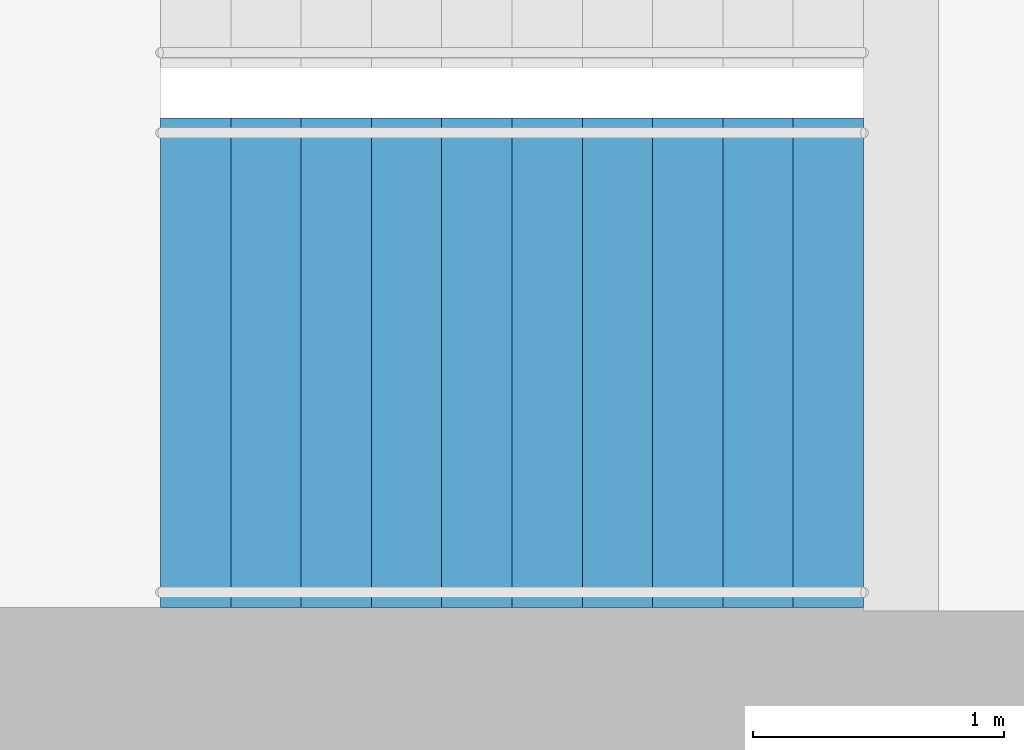
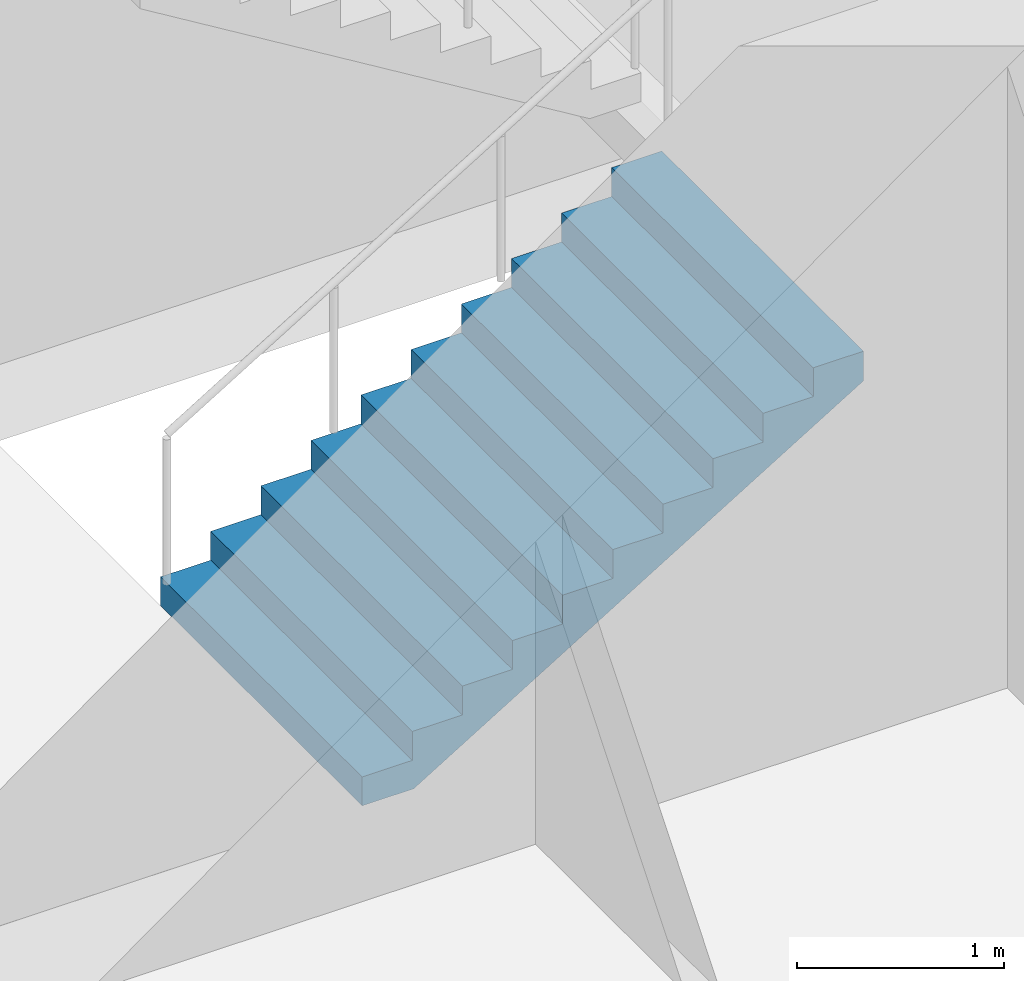
# One storey, part 22 of 28: 1 stair flight, 1 element without a shape of its own.
"""IFC4 building model written with IfcOpenShell, lengths in metres."""

from ifc_helpers import new_model, si_unit, direction, frame, origin, place, context, subcontext, project, spatial, triangles, material, type_object, element, aggregate, save


model = new_model("IFC4")

# Units and contexts
model_context = context("Model", 3, precision=1e-05, world=origin(), true_north=direction((0.0, 1.0)))
body_context = subcontext(model_context, "Body", "Model", "MODEL_VIEW")
ifc_project = project(units=[si_unit("LENGTHUNIT", "METRE"), si_unit("AREAUNIT", "SQUARE_METRE"), si_unit("VOLUMEUNIT", "CUBIC_METRE"), si_unit("PLANEANGLEUNIT", "RADIAN"), si_unit("MASSUNIT", "GRAM", prefix="KILO")], contexts=[model_context])

# Site, building, storey
site_placement = place(None, origin())
site = spatial("IfcSite", under=ifc_project, at=site_placement, CompositionType="ELEMENT")
building_placement = place(site_placement, origin())
building = spatial("IfcBuilding", under=site, at=building_placement, Name="Orbita Commons", CompositionType="ELEMENT")
storey_placement = place(building_placement, frame((0.0, 0.0, 216.550048828125)))
storey = spatial("IfcBuildingStorey", under=building, at=storey_placement, Name="L53", CompositionType="ELEMENT", Elevation=216.550048828125)

# Stair, stair flight
ifc_material_1 = material(Name="Precast concrete C40/50", Category="concrete")
stair_type = type_object("IfcStairType", Name="Exit stair S1 2 flights 11 risers 170", PredefinedType="HALF_TURN_STAIR", material=ifc_material_1)
stair_placement = place(storey_placement, origin())
stair = element("IfcStair", 1, at=stair_placement, inside=storey, type_object=stair_type, Name="Exit stair S1 L53", PredefinedType="HALF_TURN_STAIR")
ifc_material_2 = material(Name="Precast concrete C40/50", Category="concrete")
stair_flight_type = type_object("IfcStairFlightType", Name="Stair flight 11 risers 170 x 280", PredefinedType="STRAIGHT", material=ifc_material_2)
stair_flight_placement = place(storey_placement, frame((20.449951171875, 27.125, 0.0), z_axis=(0.0, 0.0, 1.0), x_axis=(1.0, 0.0, 0.0)))
stair_flight = element("IfcStairFlight", 2, at=stair_flight_placement, type_object=stair_flight_type, Name="S1 flight 1", NumberOfRisers=11, NumberOfTreads=10, PredefinedType="STRAIGHT", RiserHeight=0.170454545, TreadLength=0.28, context=body_context, shape_type="Tessellation", body=[
    triangles([(0.0, 0.974976, 0.0), (0.0, 0.974976, 0.021307), (0.0, 0.81248, 0.021307), (0.0, 0.81248, 0.0), (0.0, 0.649984, 0.021307), (0.0, 0.649984, 0.0), (0.0, 0.487488, 0.021307), (0.0, 0.487488, 0.0), (0.0, 0.324992, 0.021307), (0.0, 0.324992, 0.0), (0.0, 0.162496, 0.021307), (0.0, 0.162496, 0.0), (0.0, 0.0, 0.021307), (0.0, 0.0, 0.0), (0.0, -0.162496, 0.021307), (0.0, -0.162496, 0.0), (0.0, -0.324992, 0.021307), (0.0, -0.324992, 0.0), (0.0, -0.487488, 0.021307), (0.0, -0.487488, 0.0), (0.0, -0.649984, 0.021307), (0.0, -0.649984, 0.0), (0.0, -0.81248, 0.021307), (0.0, -0.81248, 0.0), (0.0, -0.974976, 0.021307), (0.0, -0.974976, 0.0), (0.0, 0.974976, 0.042614), (0.0, 0.81248, 0.042614), (0.0, 0.649984, 0.042614), (0.0, 0.487488, 0.042614), (0.0, 0.324992, 0.042614), (0.0, 0.162496, 0.042614), (0.0, 0.0, 0.042614), (0.0, -0.162496, 0.042614), (0.0, -0.324992, 0.042614), (0.0, -0.487488, 0.042614), (0.0, -0.649984, 0.042614), (0.0, -0.81248, 0.042614), (0.0, -0.974976, 0.042614), (0.0, 0.974976, 0.06392), (0.0, 0.81248, 0.06392), (0.0, 0.649984, 0.06392), (0.0, 0.487488, 0.06392), (0.0, 0.324992, 0.06392), (0.0, 0.162496, 0.06392), (0.0, 0.0, 0.06392), (0.0, -0.162496, 0.06392), (0.0, -0.324992, 0.06392), (0.0, -0.487488, 0.06392), (0.0, -0.649984, 0.06392), (0.0, -0.81248, 0.06392), (0.0, -0.974976, 0.06392), (0.0, 0.974976, 0.085227), (0.0, 0.81248, 0.085227), (0.0, 0.649984, 0.085227), (0.0, 0.487488, 0.085227), (0.0, 0.324992, 0.085227), (0.0, 0.162496, 0.085227), (0.0, 0.0, 0.085227), (0.0, -0.162496, 0.085227), (0.0, -0.324992, 0.085227), (0.0, -0.487488, 0.085227), (0.0, -0.649984, 0.085227), (0.0, -0.81248, 0.085227), (0.0, -0.974976, 0.085227), (0.0, 0.974976, 0.106534), (0.0, 0.81248, 0.106534), (0.0, 0.649984, 0.106534), (0.0, 0.487488, 0.106534), (0.0, 0.324992, 0.106534), (0.0, 0.162496, 0.106534), (0.0, 0.0, 0.106534), (0.0, -0.162496, 0.106534), (0.0, -0.324992, 0.106534), (0.0, -0.487488, 0.106534), (0.0, -0.649984, 0.106534), (0.0, -0.81248, 0.106534), (0.0, -0.974976, 0.106534), (0.0, 0.974976, 0.127841), (0.0, 0.81248, 0.127841), (0.0, 0.649984, 0.127841), (0.0, 0.487488, 0.127841), (0.0, 0.324992, 0.127841), (0.0, 0.162496, 0.127841), (0.0, 0.0, 0.127841), (0.0, -0.162496, 0.127841), (0.0, -0.324992, 0.127841), (0.0, -0.487488, 0.127841), (0.0, -0.649984, 0.127841), (0.0, -0.81248, 0.127841), (0.0, -0.974976, 0.127841), (0.0, 0.974976, 0.149148), (0.0, 0.81248, 0.149148), (0.0, 0.649984, 0.149148), (0.0, 0.487488, 0.149148), (0.0, 0.324992, 0.149148), (0.0, 0.162496, 0.149148), (0.0, 0.0, 0.149148), (0.0, -0.162496, 0.149148), (0.0, -0.324992, 0.149148), (0.0, -0.487488, 0.149148), (0.0, -0.649984, 0.149148), (0.0, -0.81248, 0.149148), (0.0, -0.974976, 0.149148), (0.0, 0.974976, 0.170455), (0.0, 0.81248, 0.170455), (0.0, 0.649984, 0.170455), (0.0, 0.487488, 0.170455), (0.0, 0.324992, 0.170455), (0.0, 0.162496, 0.170455), (0.0, 0.0, 0.170455), (0.0, -0.162496, 0.170455), (0.0, -0.324992, 0.170455), (0.0, -0.487488, 0.170455), (0.0, -0.649984, 0.170455), (0.0, -0.81248, 0.170455), (0.0, -0.974976, 0.170455), (0.28, 0.974976, 0.170455), (0.28, 0.81248, 0.170455), (0.28, 0.649984, 0.170455), (0.28, 0.487488, 0.170455), (0.28, 0.324992, 0.170455), (0.28, 0.162496, 0.170455), (0.28, 0.0, 0.170455), (0.28, -0.162496, 0.170455), (0.28, -0.324992, 0.170455), (0.28, -0.487488, 0.170455), (0.28, -0.649984, 0.170455), (0.28, -0.81248, 0.170455), (0.28, -0.974976, 0.170455), (0.28, 0.974976, 0.340909), (0.28, 0.81248, 0.340909), (0.28, 0.649984, 0.340909), (0.28, 0.487488, 0.340909), (0.28, 0.324992, 0.340909), (0.28, 0.162496, 0.340909), (0.28, 0.0, 0.340909), (0.28, -0.162496, 0.340909), (0.28, -0.324992, 0.340909), (0.28, -0.487488, 0.340909), (0.28, -0.649984, 0.340909), (0.28, -0.81248, 0.340909), (0.28, -0.974976, 0.340909), (0.56, 0.974976, 0.340909), (0.56, 0.81248, 0.340909), (0.56, 0.649984, 0.340909), (0.56, 0.487488, 0.340909), (0.56, 0.324992, 0.340909), (0.56, 0.162496, 0.340909), (0.56, 0.0, 0.340909), (0.56, -0.162496, 0.340909), (0.56, -0.324992, 0.340909), (0.56, -0.487488, 0.340909), (0.56, -0.649984, 0.340909), (0.56, -0.81248, 0.340909), (0.56, -0.974976, 0.340909), (0.56, 0.974976, 0.511364), (0.56, 0.81248, 0.511364), (0.56, 0.649984, 0.511364), (0.56, 0.487488, 0.511364), (0.56, 0.324992, 0.511364), (0.56, 0.162496, 0.511364), (0.56, 0.0, 0.511364), (0.56, -0.162496, 0.511364), (0.56, -0.324992, 0.511364), (0.56, -0.487488, 0.511364), (0.56, -0.649984, 0.511364), (0.56, -0.81248, 0.511364), (0.56, -0.974976, 0.511364), (0.84, 0.974976, 0.511364), (0.84, 0.81248, 0.511364), (0.84, 0.649984, 0.511364), (0.84, 0.487488, 0.511364), (0.84, 0.324992, 0.511364), (0.84, 0.162496, 0.511364), (0.84, 0.0, 0.511364), (0.84, -0.162496, 0.511364), (0.84, -0.324992, 0.511364), (0.84, -0.487488, 0.511364), (0.84, -0.649984, 0.511364), (0.84, -0.81248, 0.511364), (0.84, -0.974976, 0.511364), (0.84, 0.974976, 0.681818), (0.84, 0.81248, 0.681818), (0.84, 0.649984, 0.681818), (0.84, 0.487488, 0.681818), (0.84, 0.324992, 0.681818), (0.84, 0.162496, 0.681818), (0.84, 0.0, 0.681818), (0.84, -0.162496, 0.681818), (0.84, -0.324992, 0.681818), (0.84, -0.487488, 0.681818), (0.84, -0.649984, 0.681818), (0.84, -0.81248, 0.681818), (0.84, -0.974976, 0.681818), (1.12, 0.974976, 0.681818), (1.12, 0.81248, 0.681818), (1.12, 0.649984, 0.681818), (1.12, 0.487488, 0.681818), (1.12, 0.324992, 0.681818), (1.12, 0.162496, 0.681818), (1.12, 0.0, 0.681818), (1.12, -0.162496, 0.681818), (1.12, -0.324992, 0.681818), (1.12, -0.487488, 0.681818), (1.12, -0.649984, 0.681818), (1.12, -0.81248, 0.681818), (1.12, -0.974976, 0.681818), (1.12, 0.974976, 0.852273), (1.12, 0.81248, 0.852273), (1.12, 0.649984, 0.852273), (1.12, 0.487488, 0.852273), (1.12, 0.324992, 0.852273), (1.12, 0.162496, 0.852273), (1.12, 0.0, 0.852273), (1.12, -0.162496, 0.852273), (1.12, -0.324992, 0.852273), (1.12, -0.487488, 0.852273), (1.12, -0.649984, 0.852273), (1.12, -0.81248, 0.852273), (1.12, -0.974976, 0.852273), (1.4, 0.974976, 0.852273), (1.4, 0.81248, 0.852273), (1.4, 0.649984, 0.852273), (1.4, 0.487488, 0.852273), (1.4, 0.324992, 0.852273), (1.4, 0.162496, 0.852273), (1.4, 0.0, 0.852273), (1.4, -0.162496, 0.852273), (1.4, -0.324992, 0.852273), (1.4, -0.487488, 0.852273), (1.4, -0.649984, 0.852273), (1.4, -0.81248, 0.852273), (1.4, -0.974976, 0.852273), (1.4, 0.974976, 1.022727), (1.4, 0.81248, 1.022727), (1.4, 0.649984, 1.022727), (1.4, 0.487488, 1.022727), (1.4, 0.324992, 1.022727), (1.4, 0.162496, 1.022727), (1.4, 0.0, 1.022727), (1.4, -0.162496, 1.022727), (1.4, -0.324992, 1.022727), (1.4, -0.487488, 1.022727), (1.4, -0.649984, 1.022727), (1.4, -0.81248, 1.022727), (1.4, -0.974976, 1.022727), (1.68, 0.974976, 1.022727), (1.68, 0.81248, 1.022727), (1.68, 0.649984, 1.022727), (1.68, 0.487488, 1.022727), (1.68, 0.324992, 1.022727), (1.68, 0.162496, 1.022727), (1.68, 0.0, 1.022727), (1.68, -0.162496, 1.022727), (1.68, -0.324992, 1.022727), (1.68, -0.487488, 1.022727), (1.68, -0.649984, 1.022727), (1.68, -0.81248, 1.022727), (1.68, -0.974976, 1.022727), (1.68, 0.974976, 1.193182), (1.68, 0.81248, 1.193182), (1.68, 0.649984, 1.193182), (1.68, 0.487488, 1.193182), (1.68, 0.324992, 1.193182), (1.68, 0.162496, 1.193182), (1.68, 0.0, 1.193182), (1.68, -0.162496, 1.193182), (1.68, -0.324992, 1.193182), (1.68, -0.487488, 1.193182), (1.68, -0.649984, 1.193182), (1.68, -0.81248, 1.193182), (1.68, -0.974976, 1.193182), (1.96, 0.974976, 1.193182), (1.96, 0.81248, 1.193182), (1.96, 0.649984, 1.193182), (1.96, 0.487488, 1.193182), (1.96, 0.324992, 1.193182), (1.96, 0.162496, 1.193182), (1.96, 0.0, 1.193182), (1.96, -0.162496, 1.193182), (1.96, -0.324992, 1.193182), (1.96, -0.487488, 1.193182), (1.96, -0.649984, 1.193182), (1.96, -0.81248, 1.193182), (1.96, -0.974976, 1.193182), (1.96, 0.974976, 1.363636), (1.96, 0.81248, 1.363636), (1.96, 0.649984, 1.363636), (1.96, 0.487488, 1.363636), (1.96, 0.324992, 1.363636), (1.96, 0.162496, 1.363636), (1.96, 0.0, 1.363636), (1.96, -0.162496, 1.363636), (1.96, -0.324992, 1.363636), (1.96, -0.487488, 1.363636), (1.96, -0.649984, 1.363636), (1.96, -0.81248, 1.363636), (1.96, -0.974976, 1.363636), (2.24, 0.974976, 1.363636), (2.24, 0.81248, 1.363636), (2.24, 0.649984, 1.363636), (2.24, 0.487488, 1.363636), (2.24, 0.324992, 1.363636), (2.24, 0.162496, 1.363636), (2.24, 0.0, 1.363636), (2.24, -0.162496, 1.363636), (2.24, -0.324992, 1.363636), (2.24, -0.487488, 1.363636), (2.24, -0.649984, 1.363636), (2.24, -0.81248, 1.363636), (2.24, -0.974976, 1.363636), (2.24, 0.974976, 1.534091), (2.24, 0.81248, 1.534091), (2.24, 0.649984, 1.534091), (2.24, 0.487488, 1.534091), (2.24, 0.324992, 1.534091), (2.24, 0.162496, 1.534091), (2.24, 0.0, 1.534091), (2.24, -0.162496, 1.534091), (2.24, -0.324992, 1.534091), (2.24, -0.487488, 1.534091), (2.24, -0.649984, 1.534091), (2.24, -0.81248, 1.534091), (2.24, -0.974976, 1.534091), (2.52, 0.974976, 1.534091), (2.52, 0.81248, 1.534091), (2.52, 0.649984, 1.534091), (2.52, 0.487488, 1.534091), (2.52, 0.324992, 1.534091), (2.52, 0.162496, 1.534091), (2.52, 0.0, 1.534091), (2.52, -0.162496, 1.534091), (2.52, -0.324992, 1.534091), (2.52, -0.487488, 1.534091), (2.52, -0.649984, 1.534091), (2.52, -0.81248, 1.534091), (2.52, -0.974976, 1.534091), (2.52, 0.974976, 1.704545), (2.52, 0.81248, 1.704545), (2.52, 0.649984, 1.704545), (2.52, 0.487488, 1.704545), (2.52, 0.324992, 1.704545), (2.52, 0.162496, 1.704545), (2.52, 0.0, 1.704545), (2.52, -0.162496, 1.704545), (2.52, -0.324992, 1.704545), (2.52, -0.487488, 1.704545), (2.52, -0.649984, 1.704545), (2.52, -0.81248, 1.704545), (2.52, -0.974976, 1.704545), (2.8, 0.974976, 1.704545), (2.8, 0.81248, 1.704545), (2.8, 0.649984, 1.704545), (2.8, 0.487488, 1.704545), (2.8, 0.324992, 1.704545), (2.8, 0.162496, 1.704545), (2.8, 0.0, 1.704545), (2.8, -0.162496, 1.704545), (2.8, -0.324992, 1.704545), (2.8, -0.487488, 1.704545), (2.8, -0.649984, 1.704545), (2.8, -0.81248, 1.704545), (2.8, -0.974976, 1.704545), (2.8, 0.974976, 1.682609), (2.8, 0.81248, 1.682609), (2.8, 0.649984, 1.682609), (2.8, 0.487488, 1.682609), (2.8, 0.324992, 1.682609), (2.8, 0.162496, 1.682609), (2.8, 0.0, 1.682609), (2.8, -0.162496, 1.682609), (2.8, -0.324992, 1.682609), (2.8, -0.487488, 1.682609), (2.8, -0.649984, 1.682609), (2.8, -0.81248, 1.682609), (2.8, -0.974976, 1.682609), (2.8, 0.974976, 1.660672), (2.8, 0.81248, 1.660672), (2.8, 0.649984, 1.660672), (2.8, 0.487488, 1.660672), (2.8, 0.324992, 1.660672), (2.8, 0.162496, 1.660672), (2.8, 0.0, 1.660672), (2.8, -0.162496, 1.660672), (2.8, -0.324992, 1.660672), (2.8, -0.487488, 1.660672), (2.8, -0.649984, 1.660672), (2.8, -0.81248, 1.660672), (2.8, -0.974976, 1.660672), (2.8, 0.974976, 1.638735), (2.8, 0.81248, 1.638735), (2.8, 0.649984, 1.638735), (2.8, 0.487488, 1.638735), (2.8, 0.324992, 1.638735), (2.8, 0.162496, 1.638735), (2.8, 0.0, 1.638735), (2.8, -0.162496, 1.638735), (2.8, -0.324992, 1.638735), (2.8, -0.487488, 1.638735), (2.8, -0.649984, 1.638735), (2.8, -0.81248, 1.638735), (2.8, -0.974976, 1.638735), (2.8, 0.974976, 1.616798), (2.8, 0.81248, 1.616798), (2.8, 0.649984, 1.616798), (2.8, 0.487488, 1.616798), (2.8, 0.324992, 1.616798), (2.8, 0.162496, 1.616798), (2.8, 0.0, 1.616798), (2.8, -0.162496, 1.616798), (2.8, -0.324992, 1.616798), (2.8, -0.487488, 1.616798), (2.8, -0.649984, 1.616798), (2.8, -0.81248, 1.616798), (2.8, -0.974976, 1.616798), (2.8, 0.974976, 1.594861), (2.8, 0.81248, 1.594861), (2.8, 0.649984, 1.594861), (2.8, 0.487488, 1.594861), (2.8, 0.324992, 1.594861), (2.8, 0.162496, 1.594861), (2.8, 0.0, 1.594861), (2.8, -0.162496, 1.594861), (2.8, -0.324992, 1.594861), (2.8, -0.487488, 1.594861), (2.8, -0.649984, 1.594861), (2.8, -0.81248, 1.594861), (2.8, -0.974976, 1.594861), (2.8, 0.974976, 1.572925), (2.8, 0.81248, 1.572925), (2.8, 0.649984, 1.572925), (2.8, 0.487488, 1.572925), (2.8, 0.324992, 1.572925), (2.8, 0.162496, 1.572925), (2.8, 0.0, 1.572925), (2.8, -0.162496, 1.572925), (2.8, -0.324992, 1.572925), (2.8, -0.487488, 1.572925), (2.8, -0.649984, 1.572925), (2.8, -0.81248, 1.572925), (2.8, -0.974976, 1.572925), (2.8, 0.974976, 1.550988), (2.8, 0.81248, 1.550988), (2.8, 0.649984, 1.550988), (2.8, 0.487488, 1.550988), (2.8, 0.324992, 1.550988), (2.8, 0.162496, 1.550988), (2.8, 0.0, 1.550988), (2.8, -0.162496, 1.550988), (2.8, -0.324992, 1.550988), (2.8, -0.487488, 1.550988), (2.8, -0.649984, 1.550988), (2.8, -0.81248, 1.550988), (2.8, -0.974976, 1.550988), (2.8, 0.974976, 1.529051), (2.8, 0.81248, 1.529051), (2.8, 0.649984, 1.529051), (2.8, 0.487488, 1.529051), (2.8, 0.324992, 1.529051), (2.8, 0.162496, 1.529051), (2.8, 0.0, 1.529051), (2.8, -0.162496, 1.529051), (2.8, -0.324992, 1.529051), (2.8, -0.487488, 1.529051), (2.8, -0.649984, 1.529051), (2.8, -0.81248, 1.529051), (2.8, -0.974976, 1.529051), (0.288279, 0.974976, 0.0), (0.288279, 0.81248, 0.0), (0.288279, 0.649984, 0.0), (0.288279, 0.487488, 0.0), (0.288279, 0.324992, 0.0), (0.288279, 0.162496, 0.0), (0.288279, 0.0, 0.0), (0.288279, -0.162496, 0.0), (0.288279, -0.324992, 0.0), (0.288279, -0.487488, 0.0), (0.288279, -0.649984, 0.0), (0.288279, -0.81248, 0.0), (0.288279, -0.974976, 0.0)], [[3, 2, 1], [4, 3, 1], [5, 3, 4], [6, 5, 4], [7, 5, 6], [8, 7, 6], [9, 7, 8], [10, 9, 8], [11, 9, 10], [12, 11, 10], [13, 11, 12], [14, 13, 12], [15, 13, 14], [16, 15, 14], [17, 15, 16], [18, 17, 16], [19, 17, 18], [20, 19, 18], [21, 19, 20], [22, 21, 20], [23, 21, 22], [24, 23, 22], [25, 23, 24], [26, 25, 24], [28, 27, 2], [3, 28, 2], [29, 28, 3], [5, 29, 3], [30, 29, 5], [7, 30, 5], [31, 30, 7], [9, 31, 7], [32, 31, 9], [11, 32, 9], [33, 32, 11], [13, 33, 11], [34, 33, 13], [15, 34, 13], [35, 34, 15], [17, 35, 15], [36, 35, 17], [19, 36, 17], [37, 36, 19], [21, 37, 19], [38, 37, 21], [23, 38, 21], [39, 38, 23], [25, 39, 23], [41, 40, 27], [28, 41, 27], [42, 41, 28], [29, 42, 28], [43, 42, 29], [30, 43, 29], [44, 43, 30], [31, 44, 30], [45, 44, 31], [32, 45, 31], [46, 45, 32], [33, 46, 32], [47, 46, 33], [34, 47, 33], [48, 47, 34], [35, 48, 34], [49, 48, 35], [36, 49, 35], [50, 49, 36], [37, 50, 36], [51, 50, 37], [38, 51, 37], [52, 51, 38], [39, 52, 38], [54, 53, 40], [41, 54, 40], [55, 54, 41], [42, 55, 41], [56, 55, 42], [43, 56, 42], [57, 56, 43], [44, 57, 43], [58, 57, 44], [45, 58, 44], [59, 58, 45], [46, 59, 45], [60, 59, 46], [47, 60, 46], [61, 60, 47], [48, 61, 47], [62, 61, 48], [49, 62, 48], [63, 62, 49], [50, 63, 49], [64, 63, 50], [51, 64, 50], [65, 64, 51], [52, 65, 51], [67, 66, 53], [54, 67, 53], [68, 67, 54], [55, 68, 54], [69, 68, 55], [56, 69, 55], [70, 69, 56], [57, 70, 56], [71, 70, 57], [58, 71, 57], [72, 71, 58], [59, 72, 58], [73, 72, 59], [60, 73, 59], [74, 73, 60], [61, 74, 60], [75, 74, 61], [62, 75, 61], [76, 75, 62], [63, 76, 62], [77, 76, 63], [64, 77, 63], [78, 77, 64], [65, 78, 64], [80, 79, 66], [67, 80, 66], [81, 80, 67], [68, 81, 67], [82, 81, 68], [69, 82, 68], [83, 82, 69], [70, 83, 69], [84, 83, 70], [71, 84, 70], [85, 84, 71], [72, 85, 71], [86, 85, 72], [73, 86, 72], [87, 86, 73], [74, 87, 73], [88, 87, 74], [75, 88, 74], [89, 88, 75], [76, 89, 75], [90, 89, 76], [77, 90, 76], [91, 90, 77], [78, 91, 77], [93, 92, 79], [80, 93, 79], [94, 93, 80], [81, 94, 80], [95, 94, 81], [82, 95, 81], [96, 95, 82], [83, 96, 82], [97, 96, 83], [84, 97, 83], [98, 97, 84], [85, 98, 84], [99, 98, 85], [86, 99, 85], [100, 99, 86], [87, 100, 86], [101, 100, 87], [88, 101, 87], [102, 101, 88], [89, 102, 88], [103, 102, 89], [90, 103, 89], [104, 103, 90], [91, 104, 90], [106, 105, 92], [93, 106, 92], [107, 106, 93], [94, 107, 93], [108, 107, 94], [95, 108, 94], [109, 108, 95], [96, 109, 95], [110, 109, 96], [97, 110, 96], [111, 110, 97], [98, 111, 97], [112, 111, 98], [99, 112, 98], [113, 112, 99], [100, 113, 99], [114, 113, 100], [101, 114, 100], [115, 114, 101], [102, 115, 101], [116, 115, 102], [103, 116, 102], [117, 116, 103], [104, 117, 103], [119, 118, 105], [106, 119, 105], [120, 119, 106], [107, 120, 106], [121, 120, 107], [108, 121, 107], [122, 121, 108], [109, 122, 108], [123, 122, 109], [110, 123, 109], [124, 123, 110], [111, 124, 110], [125, 124, 111], [112, 125, 111], [126, 125, 112], [113, 126, 112], [127, 126, 113], [114, 127, 113], [128, 127, 114], [115, 128, 114], [129, 128, 115], [116, 129, 115], [130, 129, 116], [117, 130, 116], [132, 131, 118], [119, 132, 118], [133, 132, 119], [120, 133, 119], [134, 133, 120], [121, 134, 120], [135, 134, 121], [122, 135, 121], [136, 135, 122], [123, 136, 122], [137, 136, 123], [124, 137, 123], [138, 137, 124], [125, 138, 124], [139, 138, 125], [126, 139, 125], [140, 139, 126], [127, 140, 126], [141, 140, 127], [128, 141, 127], [142, 141, 128], [129, 142, 128], [143, 142, 129], [130, 143, 129], [145, 144, 131], [132, 145, 131], [146, 145, 132], [133, 146, 132], [147, 146, 133], [134, 147, 133], [148, 147, 134], [135, 148, 134], [149, 148, 135], [136, 149, 135], [150, 149, 136], [137, 150, 136], [151, 150, 137], [138, 151, 137], [152, 151, 138], [139, 152, 138], [153, 152, 139], [140, 153, 139], [154, 153, 140], [141, 154, 140], [155, 154, 141], [142, 155, 141], [156, 155, 142], [143, 156, 142], [158, 157, 144], [145, 158, 144], [159, 158, 145], [146, 159, 145], [160, 159, 146], [147, 160, 146], [161, 160, 147], [148, 161, 147], [162, 161, 148], [149, 162, 148], [163, 162, 149], [150, 163, 149], [164, 163, 150], [151, 164, 150], [165, 164, 151], [152, 165, 151], [166, 165, 152], [153, 166, 152], [167, 166, 153], [154, 167, 153], [168, 167, 154], [155, 168, 154], [169, 168, 155], [156, 169, 155], [171, 170, 157], [158, 171, 157], [172, 171, 158], [159, 172, 158], [173, 172, 159], [160, 173, 159], [174, 173, 160], [161, 174, 160], [175, 174, 161], [162, 175, 161], [176, 175, 162], [163, 176, 162], [177, 176, 163], [164, 177, 163], [178, 177, 164], [165, 178, 164], [179, 178, 165], [166, 179, 165], [180, 179, 166], [167, 180, 166], [181, 180, 167], [168, 181, 167], [182, 181, 168], [169, 182, 168], [184, 183, 170], [171, 184, 170], [185, 184, 171], [172, 185, 171], [186, 185, 172], [173, 186, 172], [187, 186, 173], [174, 187, 173], [188, 187, 174], [175, 188, 174], [189, 188, 175], [176, 189, 175], [190, 189, 176], [177, 190, 176], [191, 190, 177], [178, 191, 177], [192, 191, 178], [179, 192, 178], [193, 192, 179], [180, 193, 179], [194, 193, 180], [181, 194, 180], [195, 194, 181], [182, 195, 181], [197, 196, 183], [184, 197, 183], [198, 197, 184], [185, 198, 184], [199, 198, 185], [186, 199, 185], [200, 199, 186], [187, 200, 186], [201, 200, 187], [188, 201, 187], [202, 201, 188], [189, 202, 188], [203, 202, 189], [190, 203, 189], [204, 203, 190], [191, 204, 190], [205, 204, 191], [192, 205, 191], [206, 205, 192], [193, 206, 192], [207, 206, 193], [194, 207, 193], [208, 207, 194], [195, 208, 194], [210, 209, 196], [197, 210, 196], [211, 210, 197], [198, 211, 197], [212, 211, 198], [199, 212, 198], [213, 212, 199], [200, 213, 199], [214, 213, 200], [201, 214, 200], [215, 214, 201], [202, 215, 201], [216, 215, 202], [203, 216, 202], [217, 216, 203], [204, 217, 203], [218, 217, 204], [205, 218, 204], [219, 218, 205], [206, 219, 205], [220, 219, 206], [207, 220, 206], [221, 220, 207], [208, 221, 207], [223, 222, 209], [210, 223, 209], [224, 223, 210], [211, 224, 210], [225, 224, 211], [212, 225, 211], [226, 225, 212], [213, 226, 212], [227, 226, 213], [214, 227, 213], [228, 227, 214], [215, 228, 214], [229, 228, 215], [216, 229, 215], [230, 229, 216], [217, 230, 216], [231, 230, 217], [218, 231, 217], [232, 231, 218], [219, 232, 218], [233, 232, 219], [220, 233, 219], [234, 233, 220], [221, 234, 220], [236, 235, 222], [223, 236, 222], [237, 236, 223], [224, 237, 223], [238, 237, 224], [225, 238, 224], [239, 238, 225], [226, 239, 225], [240, 239, 226], [227, 240, 226], [241, 240, 227], [228, 241, 227], [242, 241, 228], [229, 242, 228], [243, 242, 229], [230, 243, 229], [244, 243, 230], [231, 244, 230], [245, 244, 231], [232, 245, 231], [246, 245, 232], [233, 246, 232], [247, 246, 233], [234, 247, 233], [249, 248, 235], [236, 249, 235], [250, 249, 236], [237, 250, 236], [251, 250, 237], [238, 251, 237], [252, 251, 238], [239, 252, 238], [253, 252, 239], [240, 253, 239], [254, 253, 240], [241, 254, 240], [255, 254, 241], [242, 255, 241], [256, 255, 242], [243, 256, 242], [257, 256, 243], [244, 257, 243], [258, 257, 244], [245, 258, 244], [259, 258, 245], [246, 259, 245], [260, 259, 246], [247, 260, 246], [262, 261, 248], [249, 262, 248], [263, 262, 249], [250, 263, 249], [264, 263, 250], [251, 264, 250], [265, 264, 251], [252, 265, 251], [266, 265, 252], [253, 266, 252], [267, 266, 253], [254, 267, 253], [268, 267, 254], [255, 268, 254], [269, 268, 255], [256, 269, 255], [270, 269, 256], [257, 270, 256], [271, 270, 257], [258, 271, 257], [272, 271, 258], [259, 272, 258], [273, 272, 259], [260, 273, 259], [275, 274, 261], [262, 275, 261], [276, 275, 262], [263, 276, 262], [277, 276, 263], [264, 277, 263], [278, 277, 264], [265, 278, 264], [279, 278, 265], [266, 279, 265], [280, 279, 266], [267, 280, 266], [281, 280, 267], [268, 281, 267], [282, 281, 268], [269, 282, 268], [283, 282, 269], [270, 283, 269], [284, 283, 270], [271, 284, 270], [285, 284, 271], [272, 285, 271], [286, 285, 272], [273, 286, 272], [288, 287, 274], [275, 288, 274], [289, 288, 275], [276, 289, 275], [290, 289, 276], [277, 290, 276], [291, 290, 277], [278, 291, 277], [292, 291, 278], [279, 292, 278], [293, 292, 279], [280, 293, 279], [294, 293, 280], [281, 294, 280], [295, 294, 281], [282, 295, 281], [296, 295, 282], [283, 296, 282], [297, 296, 283], [284, 297, 283], [298, 297, 284], [285, 298, 284], [299, 298, 285], [286, 299, 285], [301, 300, 287], [288, 301, 287], [302, 301, 288], [289, 302, 288], [303, 302, 289], [290, 303, 289], [304, 303, 290], [291, 304, 290], [305, 304, 291], [292, 305, 291], [306, 305, 292], [293, 306, 292], [307, 306, 293], [294, 307, 293], [308, 307, 294], [295, 308, 294], [309, 308, 295], [296, 309, 295], [310, 309, 296], [297, 310, 296], [311, 310, 297], [298, 311, 297], [312, 311, 298], [299, 312, 298], [314, 313, 300], [301, 314, 300], [315, 314, 301], [302, 315, 301], [316, 315, 302], [303, 316, 302], [317, 316, 303], [304, 317, 303], [318, 317, 304], [305, 318, 304], [319, 318, 305], [306, 319, 305], [320, 319, 306], [307, 320, 306], [321, 320, 307], [308, 321, 307], [322, 321, 308], [309, 322, 308], [323, 322, 309], [310, 323, 309], [324, 323, 310], [311, 324, 310], [325, 324, 311], [312, 325, 311], [327, 326, 313], [314, 327, 313], [328, 327, 314], [315, 328, 314], [329, 328, 315], [316, 329, 315], [330, 329, 316], [317, 330, 316], [331, 330, 317], [318, 331, 317], [332, 331, 318], [319, 332, 318], [333, 332, 319], [320, 333, 319], [334, 333, 320], [321, 334, 320], [335, 334, 321], [322, 335, 321], [336, 335, 322], [323, 336, 322], [337, 336, 323], [324, 337, 323], [338, 337, 324], [325, 338, 324], [340, 339, 326], [327, 340, 326], [341, 340, 327], [328, 341, 327], [342, 341, 328], [329, 342, 328], [343, 342, 329], [330, 343, 329], [344, 343, 330], [331, 344, 330], [345, 344, 331], [332, 345, 331], [346, 345, 332], [333, 346, 332], [347, 346, 333], [334, 347, 333], [348, 347, 334], [335, 348, 334], [349, 348, 335], [336, 349, 335], [350, 349, 336], [337, 350, 336], [351, 350, 337], [338, 351, 337], [353, 352, 339], [340, 353, 339], [354, 353, 340], [341, 354, 340], [355, 354, 341], [342, 355, 341], [356, 355, 342], [343, 356, 342], [357, 356, 343], [344, 357, 343], [358, 357, 344], [345, 358, 344], [359, 358, 345], [346, 359, 345], [360, 359, 346], [347, 360, 346], [361, 360, 347], [348, 361, 347], [362, 361, 348], [349, 362, 348], [363, 362, 349], [350, 363, 349], [364, 363, 350], [351, 364, 350], [366, 365, 352], [353, 366, 352], [367, 366, 353], [354, 367, 353], [368, 367, 354], [355, 368, 354], [369, 368, 355], [356, 369, 355], [370, 369, 356], [357, 370, 356], [371, 370, 357], [358, 371, 357], [372, 371, 358], [359, 372, 358], [373, 372, 359], [360, 373, 359], [374, 373, 360], [361, 374, 360], [375, 374, 361], [362, 375, 361], [376, 375, 362], [363, 376, 362], [377, 376, 363], [364, 377, 363], [379, 378, 365], [366, 379, 365], [380, 379, 366], [367, 380, 366], [381, 380, 367], [368, 381, 367], [382, 381, 368], [369, 382, 368], [383, 382, 369], [370, 383, 369], [384, 383, 370], [371, 384, 370], [385, 384, 371], [372, 385, 371], [386, 385, 372], [373, 386, 372], [387, 386, 373], [374, 387, 373], [388, 387, 374], [375, 388, 374], [389, 388, 375], [376, 389, 375], [390, 389, 376], [377, 390, 376], [392, 391, 378], [379, 392, 378], [393, 392, 379], [380, 393, 379], [394, 393, 380], [381, 394, 380], [395, 394, 381], [382, 395, 381], [396, 395, 382], [383, 396, 382], [397, 396, 383], [384, 397, 383], [398, 397, 384], [385, 398, 384], [399, 398, 385], [386, 399, 385], [400, 399, 386], [387, 400, 386], [401, 400, 387], [388, 401, 387], [402, 401, 388], [389, 402, 388], [403, 402, 389], [390, 403, 389], [405, 404, 391], [392, 405, 391], [406, 405, 392], [393, 406, 392], [407, 406, 393], [394, 407, 393], [408, 407, 394], [395, 408, 394], [409, 408, 395], [396, 409, 395], [410, 409, 396], [397, 410, 396], [411, 410, 397], [398, 411, 397], [412, 411, 398], [399, 412, 398], [413, 412, 399], [400, 413, 399], [414, 413, 400], [401, 414, 400], [415, 414, 401], [402, 415, 401], [416, 415, 402], [403, 416, 402], [418, 417, 404], [405, 418, 404], [419, 418, 405], [406, 419, 405], [420, 419, 406], [407, 420, 406], [421, 420, 407], [408, 421, 407], [422, 421, 408], [409, 422, 408], [423, 422, 409], [410, 423, 409], [424, 423, 410], [411, 424, 410], [425, 424, 411], [412, 425, 411], [426, 425, 412], [413, 426, 412], [427, 426, 413], [414, 427, 413], [428, 427, 414], [415, 428, 414], [429, 428, 415], [416, 429, 415], [431, 430, 417], [418, 431, 417], [432, 431, 418], [419, 432, 418], [433, 432, 419], [420, 433, 419], [434, 433, 420], [421, 434, 420], [435, 434, 421], [422, 435, 421], [436, 435, 422], [423, 436, 422], [437, 436, 423], [424, 437, 423], [438, 437, 424], [425, 438, 424], [439, 438, 425], [426, 439, 425], [440, 439, 426], [427, 440, 426], [441, 440, 427], [428, 441, 427], [442, 441, 428], [429, 442, 428], [444, 443, 430], [431, 444, 430], [445, 444, 431], [432, 445, 431], [446, 445, 432], [433, 446, 432], [447, 446, 433], [434, 447, 433], [448, 447, 434], [435, 448, 434], [449, 448, 435], [436, 449, 435], [450, 449, 436], [437, 450, 436], [451, 450, 437], [438, 451, 437], [452, 451, 438], [439, 452, 438], [453, 452, 439], [440, 453, 439], [454, 453, 440], [441, 454, 440], [455, 454, 441], [442, 455, 441], [457, 456, 443], [444, 457, 443], [458, 457, 444], [445, 458, 444], [459, 458, 445], [446, 459, 445], [460, 459, 446], [447, 460, 446], [461, 460, 447], [448, 461, 447], [462, 461, 448], [449, 462, 448], [463, 462, 449], [450, 463, 449], [464, 463, 450], [451, 464, 450], [465, 464, 451], [452, 465, 451], [466, 465, 452], [453, 466, 452], [467, 466, 453], [454, 467, 453], [468, 467, 454], [455, 468, 454], [470, 469, 456], [457, 470, 456], [471, 470, 457], [458, 471, 457], [472, 471, 458], [459, 472, 458], [473, 472, 459], [460, 473, 459], [474, 473, 460], [461, 474, 460], [475, 474, 461], [462, 475, 461], [476, 475, 462], [463, 476, 462], [477, 476, 463], [464, 477, 463], [478, 477, 464], [465, 478, 464], [479, 478, 465], [466, 479, 465], [480, 479, 466], [467, 480, 466], [481, 480, 467], [468, 481, 467], [4, 1, 469], [470, 4, 469], [6, 4, 470], [471, 6, 470], [8, 6, 471], [472, 8, 471], [10, 8, 472], [473, 10, 472], [12, 10, 473], [474, 12, 473], [14, 12, 474], [475, 14, 474], [16, 14, 475], [476, 16, 475], [18, 16, 476], [477, 18, 476], [20, 18, 477], [478, 20, 477], [22, 20, 478], [479, 22, 478], [24, 22, 479], [480, 24, 479], [26, 24, 480], [481, 26, 480], [456, 469, 1], [26, 481, 468], [443, 456, 1], [26, 468, 455], [430, 443, 1], [26, 455, 442], [417, 430, 1], [26, 442, 429], [404, 417, 1], [26, 429, 416], [391, 404, 1], [26, 416, 403], [378, 391, 1], [26, 403, 390], [365, 378, 1], [26, 390, 377], [339, 352, 365], [377, 364, 351], [326, 339, 365], [377, 351, 338], [300, 313, 326], [338, 325, 312], [300, 326, 365], [377, 338, 312], [274, 287, 300], [312, 299, 286], [274, 300, 365], [377, 312, 286], [248, 261, 274], [286, 273, 260], [248, 274, 365], [377, 286, 260], [222, 235, 248], [260, 247, 234], [222, 248, 365], [377, 260, 234], [196, 209, 222], [234, 221, 208], [196, 222, 365], [377, 234, 208], [170, 183, 196], [208, 195, 182], [170, 196, 365], [377, 208, 182], [144, 157, 170], [182, 169, 156], [144, 170, 365], [377, 182, 156], [118, 131, 144], [156, 143, 130], [118, 144, 365], [377, 156, 130], [118, 365, 1], [26, 377, 130], [92, 105, 118], [130, 117, 104], [79, 92, 118], [130, 104, 91], [66, 79, 118], [130, 91, 78], [53, 66, 118], [130, 78, 65], [40, 53, 118], [130, 65, 52], [27, 40, 118], [130, 52, 39], [2, 27, 118], [130, 39, 25], [1, 2, 118], [130, 25, 26]], closed=True),
])
aggregate(stair, [stair_flight])

save(model, "model.ifc")
